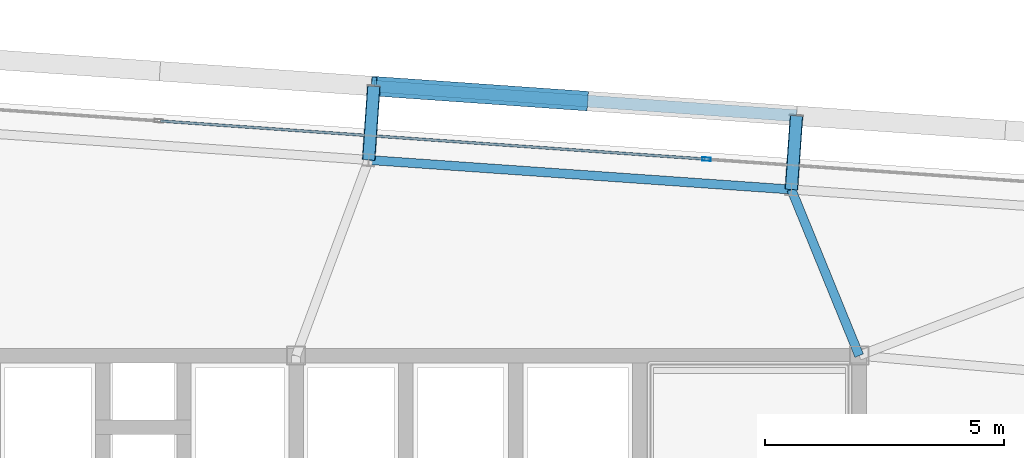
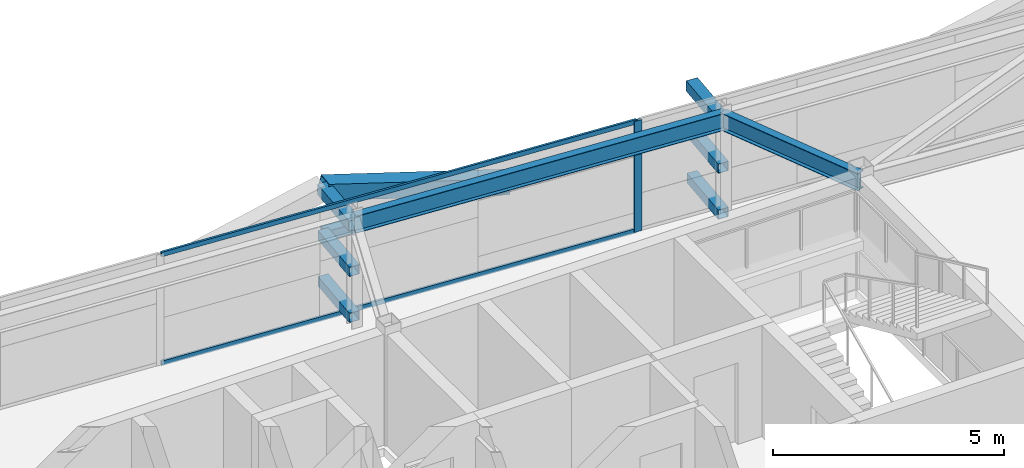
# One storey, part 23 of 39: 11 members, 2 beams, 1 element without a shape of its own.
"""IFC4 building model written with IfcOpenShell, lengths in metres."""

from ifc_helpers import new_model, si_unit, direction, frame, origin, origin_2d, place, context, subcontext, project, spatial, hollow_rectangle, i_section, extrude, source, transform, mapped, material, layer, layer_set, material_profile, profile_set, type_object, element, aggregate, save


model = new_model("IFC4")

# Units and contexts
model_context = context("Model", 3, precision=1e-05, world=origin(), true_north=direction((0.0, 1.0)))
body_context = subcontext(model_context, "Body", "Model", "MODEL_VIEW")
ifc_project = project(units=[si_unit("LENGTHUNIT", "METRE"), si_unit("AREAUNIT", "SQUARE_METRE"), si_unit("VOLUMEUNIT", "CUBIC_METRE"), si_unit("PLANEANGLEUNIT", "RADIAN"), si_unit("MASSUNIT", "GRAM", prefix="KILO")], contexts=[model_context])

# Site, building, storey
site_placement = place(None, origin())
site = spatial("IfcSite", under=ifc_project, at=site_placement, CompositionType="ELEMENT")
building_placement = place(site_placement, origin())
building = spatial("IfcBuilding", under=site, at=building_placement, Name="Taldren Reach Tower", CompositionType="ELEMENT")
storey_placement = place(building_placement, frame((0.0, 0.0, 145.60009765625)))
storey = spatial("IfcBuildingStorey", under=building, at=storey_placement, Name="L44", CompositionType="ELEMENT", Elevation=145.60009765625)

# Members
ifc_material_1 = material(Name="Steel Gr 450 (C450L0)", Category="steel")
ifc_material_profile_1 = material_profile(ifc_material_1, hollow_rectangle(XDim=0.27490234375, YDim=0.27490234375, WallThickness=0.00927734375, at=origin_2d()), Name="275x275x9.3SHS")
ifc_profile_set_1 = profile_set([ifc_material_profile_1], Name="Steel Gr 450 (C450L0)")
member_type_1 = type_object("IfcMemberType", Name="MB-TIE273", PredefinedType="STRUT", material=ifc_profile_set_1)
shared_shape_1 = source(origin(), body_context, "Body", "SweptSolid", [
    extrude(hollow_rectangle(XDim=0.27490234375, YDim=0.27490234375, WallThickness=0.00927734375, at=origin_2d()), origin(), (0.0, 0.0, 1.0), 1.550048828125),
])
for number, where, z_axis, x_axis, name in (
    (1, (40.7197265625, 36.100341796875, 2.64990234375), (0.06976957191, 0.99756313426, 0.0), (-0.99756313426, 0.06976957191, 0.0), "Exoskeleton diaphragm tie strut B3-N4 L44"),
    (2, (49.578125, 35.48095703125, 2.64990234375), (0.06976957191, 0.99756313426, 0.0), (-0.99756313426, 0.06976957191, 0.0), "Exoskeleton diaphragm tie strut B3-N5 L44"),
):
    element("IfcMember", number, at=place(storey_placement, frame(where, z_axis=z_axis, x_axis=x_axis)), inside=storey, type_object=member_type_1, Name=name, PredefinedType="STRUT", context=body_context, shape_type="MappedRepresentation", body=[
        mapped(shared_shape_1, transform((0.0, 0.0, 0.0), scale=1.0)),
    ])
ifc_material_2 = material(Name="Steel Gr 350 (C350L0)", Category="steel")
ifc_material_profile_2 = material_profile(ifc_material_2, hollow_rectangle(XDim=0.25, YDim=0.25, WallThickness=0.010009765625, at=origin_2d()), Name="250x250x10.0SHS")
ifc_profile_set_2 = profile_set([ifc_material_profile_2], Name="Steel Gr 350 (C350L0)")
member_type_2 = type_object("IfcMemberType", Name="MB-POST250", PredefinedType="POST", material=ifc_profile_set_2)
shared_shape_2 = source(origin(), body_context, "Body", "SweptSolid", [
    extrude(hollow_rectangle(XDim=0.25, YDim=0.25, WallThickness=0.010009765625, at=origin_2d()), origin(), (0.0, 0.0, 1.0), 1.550048828125),
])
for number, where, z_axis, x_axis, name in (
    (3, (40.7197265625, 36.100341796875, 0.219970703125), (0.06976957191, 0.99756313426, 0.0), (-0.99756313426, 0.06976957191, 0.0), "Exoskeleton base diaphragm tie strut B3-N4 L44"),
    (4, (49.578125, 35.48095703125, 0.219970703125), (0.06976957191, 0.99756313426, 0.0), (-0.99756313426, 0.06976957191, 0.0), "Exoskeleton base diaphragm tie strut B3-N5 L44"),
    (5, (40.7197265625, 36.100341796875, 1.434814453125), (0.06976957191, 0.99756313426, 0.0), (-0.99756313426, 0.06976957191, 0.0), "Exoskeleton mid-tier diaphragm tie B3-N4 L44"),
    (6, (49.578125, 35.48095703125, 1.434814453125), (0.06976957191, 0.99756313426, 0.0), (-0.99756313426, 0.06976957191, 0.0), "Exoskeleton mid-tier diaphragm tie B3-N5 L44"),
):
    element("IfcMember", number, at=place(storey_placement, frame(where, z_axis=z_axis, x_axis=x_axis)), inside=storey, type_object=member_type_2, Name=name, PredefinedType="POST", context=body_context, shape_type="MappedRepresentation", body=[
        mapped(shared_shape_2, transform((0.0, 0.0, 0.0), scale=1.0)),
    ])

# Beams
ifc_material_3 = material(Name="Steel Gr 350 (350PLUS)", Category="steel")
ifc_material_profile_3 = material_profile(ifc_material_3, i_section(OverallWidth=0.18994140625, OverallDepth=0.4541015625, WebThickness=0.008544921875, FlangeThickness=0.0126953125, at=origin_2d()), Name="460UB67.1")
ifc_profile_set_3 = profile_set([ifc_material_profile_3], Name="Steel Gr 350 (350PLUS)")
beam_type_1 = type_object("IfcBeamType", Name="SP-UB460B", PredefinedType="SPANDREL", material=ifc_profile_set_3)
shared_shape_3 = source(origin(), body_context, "Body", "SweptSolid", [
    extrude(i_section(OverallWidth=0.18994140625, OverallDepth=0.4541015625, WebThickness=0.008544921875, FlangeThickness=0.0126953125, at=origin_2d()), origin(), (0.0, 0.0, 1.0), 8.880126953125),
])
beam_1_placement = place(storey_placement, frame((49.578125, 35.48095703125, 2.702880859375), z_axis=(-0.997564479639, 0.069750333063, 0.0), x_axis=(-0.069750333063, -0.997564479639, 0.0)))
element("IfcBeam", 7, at=beam_1_placement, inside=storey, type_object=beam_type_1, Name="Perimeter spandrel B3 N5-N4 L44", PredefinedType="SPANDREL", context=body_context, shape_type="MappedRepresentation", body=[
    mapped(shared_shape_3, transform((0.0, 0.0, 0.0), scale=1.0)),
])
ifc_material_profile_4 = material_profile(ifc_material_3, i_section(OverallWidth=0.19091796875, OverallDepth=0.4599609375, WebThickness=0.010009765625, FlangeThickness=0.01611328125, at=origin_2d()), Name="460UB82.1")
ifc_profile_set_4 = profile_set([ifc_material_profile_4], Name="Steel Gr 350 (350PLUS)")
beam_type_2 = type_object("IfcBeamType", Name="BM-UB460A", PredefinedType="BEAM", material=ifc_profile_set_4)
shared_shape_4 = source(origin(), body_context, "Body", "SweptSolid", [
    extrude(i_section(OverallWidth=0.19091796875, OverallDepth=0.4599609375, WebThickness=0.010009765625, FlangeThickness=0.01611328125, at=origin_2d()), origin(), (0.0, 0.0, 1.0), 3.76025390625),
])
beam_2_placement = place(storey_placement, frame((51.0, 32.0, 2.699951171875), z_axis=(-0.37814232545, 0.925747471886, 0.0), x_axis=(-0.925747471886, -0.37814232545, 0.0)))
element("IfcBeam", 8, at=beam_2_placement, inside=storey, type_object=beam_type_2, Name="Primary floor girder B3-N5 L44", PredefinedType="BEAM", context=body_context, shape_type="MappedRepresentation", body=[
    mapped(shared_shape_4, transform((0.0, 0.0, 0.0), scale=1.0)),
])

# Members
shared_shape_5 = source(origin(), body_context, "Body", "SweptSolid", [
    extrude(hollow_rectangle(XDim=0.25, YDim=0.25, WallThickness=0.010009765625, at=origin_2d()), origin(), (0.0, 0.0, 1.0), 8.880126953125),
])
member_1_placement = place(storey_placement, frame((40.827880859375, 37.646728515625, 1.434814453125), z_axis=(0.997564479639, -0.069750333063, 0.0), x_axis=(0.069750333063, 0.997564479639, 0.0)))
element("IfcMember", 9, at=member_1_placement, inside=storey, type_object=member_type_2, Name="Exoskeleton mid-height ring chord B3-N4 L44", PredefinedType="POST", context=body_context, shape_type="MappedRepresentation", body=[
    mapped(shared_shape_5, transform((0.0, 0.0, 0.0), scale=1.0)),
])
ifc_material_profile_5 = material_profile(ifc_material_1, hollow_rectangle(XDim=0.409912109375, YDim=0.409912109375, WallThickness=0.01611328125, at=origin_2d()), Name="410x410x16.0SHS")
ifc_profile_set_5 = profile_set([ifc_material_profile_5], Name="Steel Gr 450 (C450L0)")
member_type_3 = type_object("IfcMemberType", Name="MB-EXO406", PredefinedType="BRACE", material=ifc_profile_set_5)
shared_shape_6 = source(origin(), body_context, "Body", "SweptSolid", [
    extrude(hollow_rectangle(XDim=0.409912109375, YDim=0.409912109375, WallThickness=0.01611328125, at=origin_2d()), origin(), (0.0, 0.0, 1.0), 4.603271484375),
])
member_2_placement = place(storey_placement, frame((45.257080078125, 37.3369140625, 1.434814453125), z_axis=(-0.962182351074, 0.067302910567, 0.263961060594), x_axis=(-0.06977769246, -0.997562566276, 0.0)))
element("IfcMember", 10, at=member_2_placement, inside=storey, type_object=member_type_3, Name="Exoskeleton Diagrid Brace B3-N4 L44", PredefinedType="BRACE", context=body_context, shape_type="MappedRepresentation", body=[
    mapped(shared_shape_6, transform((0.0, 0.0, 0.0), scale=1.0)),
])

# Curtain wall, members
ifc_material_4 = material(Name="Aluminium and Low-E Glass Unitised System", Category="aluminium")
ifc_layer = layer(ifc_material_4, 0.159912109375)
ifc_layer_set = layer_set([ifc_layer], Name="Aluminium and Low-E Glass Unitised System")
curtain_wall_type = type_object("IfcCurtainWallType", Name="CW-SYS-4", PredefinedType="NOTDEFINED", material=ifc_layer_set)
curtain_wall_placement = place(storey_placement, origin())
curtain_wall = element("IfcCurtainWall", 11, at=curtain_wall_placement, inside=storey, type_object=curtain_wall_type, Name="Unitised curtain wall CW-L44-N", PredefinedType="NOTDEFINED")
ifc_material_5 = material(Name="Anodised Aluminium 6063-T6", Category="aluminium")
ifc_material_profile_6 = material_profile(ifc_material_5, hollow_rectangle(XDim=0.054931640625, YDim=0.1201171875, WallThickness=0.0029296875, at=origin_2d()), Name="ALU-120x55x3RHS")
ifc_profile_set_6 = profile_set([ifc_material_profile_6], Name="Anodised Aluminium 6063-T6")
member_type_4 = type_object("IfcMemberType", Name="CW-TRN-135", PredefinedType="USERDEFINED", material=ifc_profile_set_6)
shared_shape_7 = source(origin(), body_context, "Body", "SweptSolid", [
    extrude(hollow_rectangle(XDim=0.054931640625, YDim=0.1201171875, WallThickness=0.0029296875, at=origin_2d()), origin(), (0.0, 0.0, 1.0), 11.429931640625),
])
member_3_placement = place(storey_placement, frame((47.76318359375, 36.119140625, 0.02734375), z_axis=(-0.997563740938, 0.069760897114, 0.0), x_axis=(-0.069760897114, -0.997563740938, 0.0)))
member_3 = element("IfcMember", 12, at=member_3_placement, type_object=member_type_4, Name="CW-4 transom 2.1", ObjectType="TRANSOM", PredefinedType="USERDEFINED", context=body_context, shape_type="MappedRepresentation", body=[
    mapped(shared_shape_7, transform((0.0, 0.0, 0.0), scale=1.0)),
])
member_4_placement = place(storey_placement, frame((47.76318359375, 36.119140625, 2.90234375), z_axis=(-0.997563740938, 0.069760897114, 0.0), x_axis=(-0.069760897114, -0.997563740938, 0.0)))
member_4 = element("IfcMember", 13, at=member_4_placement, type_object=member_type_4, Name="CW-4 transom 2.2", ObjectType="TRANSOM", PredefinedType="USERDEFINED", context=body_context, shape_type="MappedRepresentation", body=[
    mapped(shared_shape_7, transform((0.0, 0.0, 0.0), scale=1.0)),
])
ifc_material_profile_7 = material_profile(ifc_material_5, hollow_rectangle(XDim=0.070068359375, YDim=0.179931640625, WallThickness=0.00390625, at=origin_2d()), Name="ALU-180x70x4RHS")
ifc_profile_set_7 = profile_set([ifc_material_profile_7], Name="Anodised Aluminium 6063-T6")
member_type_5 = type_object("IfcMemberType", Name="CW-MUL-180", PredefinedType="MULLION", material=ifc_profile_set_7)
shared_shape_8 = source(origin(), body_context, "Body", "SweptSolid", [
    extrude(hollow_rectangle(XDim=0.070068359375, YDim=0.179931640625, WallThickness=0.00390625, at=origin_2d()), origin(), (0.0, 0.0, 1.0), 2.929931640625),
])
member_5_placement = place(storey_placement, frame((47.798095703125, 36.11669921875, 0.0), z_axis=(0.0, 0.0, 1.0), x_axis=(-0.06975651593, -0.99756404731, 0.0)))
member_5 = element("IfcMember", 14, at=member_5_placement, type_object=member_type_5, Name="CW-4 mullion 2", PredefinedType="MULLION", context=body_context, shape_type="MappedRepresentation", body=[
    mapped(shared_shape_8, transform((0.0, 0.0, 0.0), scale=1.0)),
])
aggregate(curtain_wall, [member_5, member_3, member_4])

save(model, "model.ifc")
